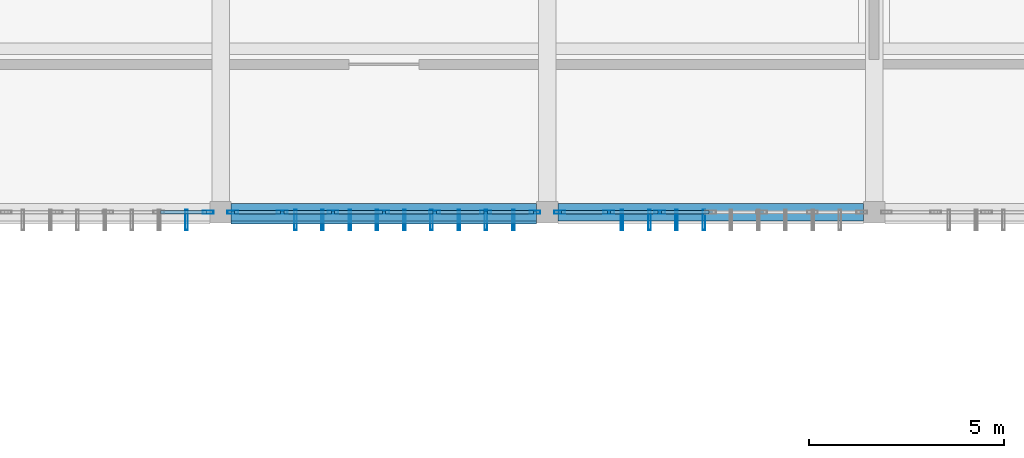
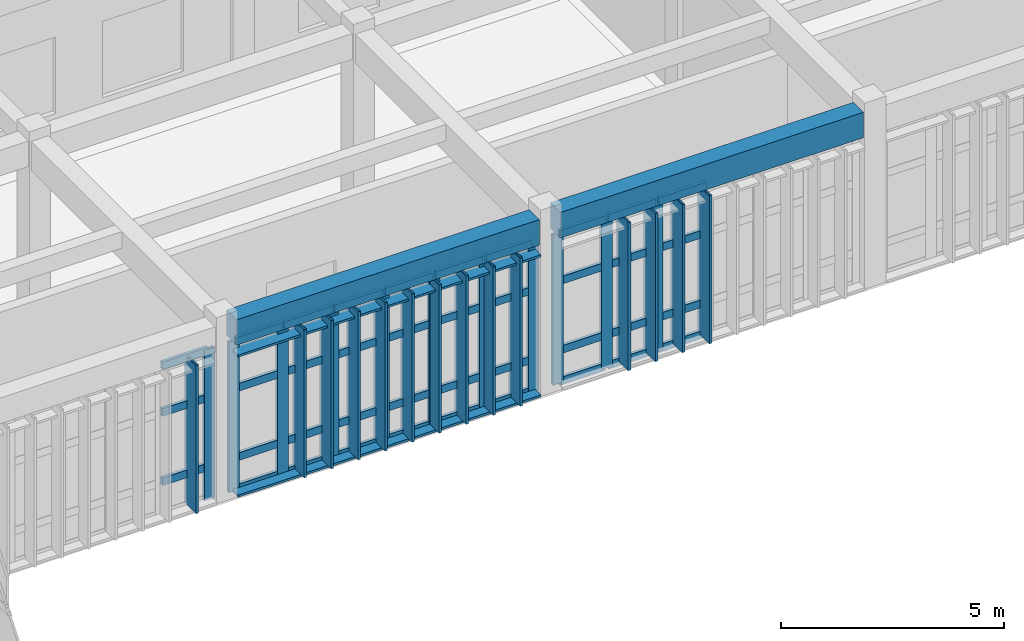
# One storey, part 40 of 106: 66 members, 2 beams, 3 elements without a shape of their own.
"""IFC4 building model written with IfcOpenShell, lengths in metres."""

from ifc_helpers import new_model, si_unit, direction, frame, origin, origin_2d, place, context, subcontext, project, spatial, rectangle, hollow_rectangle, extrude, material, layer, layer_set, material_profile, profile_set, type_object, element, aggregate, save


model = new_model("IFC4")

# Units and contexts
model_context = context("Model", 3, precision=1e-05, world=origin(), true_north=direction((0.0, 1.0)))
body_context = subcontext(model_context, "Body", "Model", "MODEL_VIEW")
ifc_project = project(units=[si_unit("LENGTHUNIT", "METRE"), si_unit("AREAUNIT", "SQUARE_METRE"), si_unit("VOLUMEUNIT", "CUBIC_METRE"), si_unit("PLANEANGLEUNIT", "RADIAN"), si_unit("MASSUNIT", "GRAM", prefix="KILO")], contexts=[model_context])

# Site, building, storey
site_placement = place(None, origin())
site = spatial("IfcSite", under=ifc_project, at=site_placement, CompositionType="ELEMENT")
building_placement = place(site_placement, origin())
building = spatial("IfcBuilding", under=site, at=building_placement, Name="Krzemoval Escarpment Law Courts", CompositionType="ELEMENT")
storey_placement = place(building_placement, frame((0.0, 0.0, 5.10009765625)))
storey = spatial("IfcBuildingStorey", under=building, at=storey_placement, Name="L01", CompositionType="ELEMENT", Elevation=5.10009765625)

# Beams
ifc_material_1 = material(Name="Concrete C40/50", Category="concrete")
ifc_material_profile_1 = material_profile(ifc_material_1, rectangle(XDim=0.449951171875, YDim=0.699951171875, at=origin_2d()), Name="RCB 450x700")
ifc_profile_set_1 = profile_set([ifc_material_profile_1], Name="Concrete C40/50")
beam_type = type_object("IfcBeamType", Name="BM-RC-450x700", PredefinedType="BEAM", material=ifc_profile_set_1)
beam_1_placement = place(storey_placement, frame((50.675048828125, 99.60009765625, 4.469970703125), z_axis=(1.0, 0.0, 0.0), x_axis=(0.0, 1.0, 0.0)))
element("IfcBeam", 1, at=beam_1_placement, inside=storey, type_object=beam_type, Name="Beam FG-L01-1305", PredefinedType="BEAM", context=body_context, shape_type="SweptSolid", body=[
    extrude(rectangle(XDim=0.449951171875, YDim=0.699951171875, at=origin_2d()), origin(), (0.0, 0.0, 1.0), 7.849853515625),
])
beam_2_placement = place(storey_placement, frame((59.074951171875, 99.60009765625, 4.469970703125), z_axis=(1.0, 0.0, 0.0), x_axis=(0.0, 1.0, 0.0)))
element("IfcBeam", 2, at=beam_2_placement, inside=storey, type_object=beam_type, Name="Beam FG-L01-1306", PredefinedType="BEAM", context=body_context, shape_type="SweptSolid", body=[
    extrude(rectangle(XDim=0.449951171875, YDim=0.699951171875, at=origin_2d()), origin(), (0.0, 0.0, 1.0), 7.85009765625),
])

# Curtain wall, members
ifc_material_2 = material(Name="Aluminium 6063-T6", Category="aluminium")
ifc_layer = layer(ifc_material_2, 0.280029296875)
ifc_layer_set = layer_set([ifc_layer], Name="Aluminium 6063-T6")
curtain_wall_type = type_object("IfcCurtainWallType", Name="CW-HALL-5100", PredefinedType="USERDEFINED", material=ifc_layer_set)
curtain_wall_1_placement = place(storey_placement, origin())
curtain_wall_1 = element("IfcCurtainWall", 3, at=curtain_wall_1_placement, inside=storey, type_object=curtain_wall_type, Name="Unitised Curtain Wall FCW-L01-053", ObjectType="UNITISED_CURTAIN_WALL", PredefinedType="USERDEFINED")
ifc_material_3 = material(Name="Aluminium 6063-T6", Category="aluminium")
ifc_material_profile_2 = material_profile(ifc_material_3, hollow_rectangle(XDim=0.0849609375, YDim=0.280029296875, WallThickness=0.005615234375, at=origin_2d()), Name="ALU M85x280")
ifc_profile_set_2 = profile_set([ifc_material_profile_2], Name="Aluminium 6063-T6")
member_type_1 = type_object("IfcMemberType", Name="CWM-85x280", PredefinedType="MULLION", material=ifc_profile_set_2)
member_1_placement = place(storey_placement, frame((61.691650390625, 99.60009765625, 0.0), z_axis=(0.0, 0.0, 1.0), x_axis=(0.0, -1.0, 0.0)))
member_1 = element("IfcMember", 4, at=member_1_placement, type_object=member_type_1, Name="FCW-L01-053 mullion 5", PredefinedType="MULLION", context=body_context, shape_type="SweptSolid", body=[
    extrude(hollow_rectangle(XDim=0.0849609375, YDim=0.280029296875, WallThickness=0.005615234375, at=origin_2d()), origin(), (0.0, 0.0, 1.0), 4.119873046875),
])
member_2_placement = place(storey_placement, frame((60.38330078125, 99.60009765625, 0.0), z_axis=(0.0, 0.0, 1.0), x_axis=(0.0, -1.0, 0.0)))
member_2 = element("IfcMember", 5, at=member_2_placement, type_object=member_type_1, Name="FCW-L01-053 mullion 6", PredefinedType="MULLION", context=body_context, shape_type="SweptSolid", body=[
    extrude(hollow_rectangle(XDim=0.0849609375, YDim=0.280029296875, WallThickness=0.005615234375, at=origin_2d()), origin(), (0.0, 0.0, 1.0), 4.119873046875),
])
member_3_placement = place(storey_placement, frame((59.117431640625, 99.60009765625, 0.0), z_axis=(0.0, 0.0, 1.0), x_axis=(0.0, -1.0, 0.0)))
member_3 = element("IfcMember", 6, at=member_3_placement, type_object=member_type_1, Name="FCW-L01-053 mullion 7", PredefinedType="MULLION", context=body_context, shape_type="SweptSolid", body=[
    extrude(hollow_rectangle(XDim=0.0849609375, YDim=0.280029296875, WallThickness=0.005615234375, at=origin_2d()), origin(), (0.0, 0.0, 1.0), 4.119873046875),
])

curtain_wall_2_placement = place(storey_placement, origin())
curtain_wall_2 = element("IfcCurtainWall", 7, at=curtain_wall_2_placement, inside=storey, type_object=curtain_wall_type, Name="Unitised Curtain Wall FCW-L01-054", ObjectType="UNITISED_CURTAIN_WALL", PredefinedType="USERDEFINED")
member_4_placement = place(storey_placement, frame((58.482421875, 99.60009765625, 0.0), z_axis=(0.0, 0.0, 1.0), x_axis=(0.0, -1.0, 0.0)))
member_4 = element("IfcMember", 8, at=member_4_placement, type_object=member_type_1, Name="FCW-L01-054 mullion 1", PredefinedType="MULLION", context=body_context, shape_type="SweptSolid", body=[
    extrude(hollow_rectangle(XDim=0.0849609375, YDim=0.280029296875, WallThickness=0.005615234375, at=origin_2d()), origin(), (0.0, 0.0, 1.0), 4.119873046875),
])
member_5_placement = place(storey_placement, frame((57.216552734375, 99.60009765625, 0.0), z_axis=(0.0, 0.0, 1.0), x_axis=(0.0, -1.0, 0.0)))
member_5 = element("IfcMember", 9, at=member_5_placement, type_object=member_type_1, Name="FCW-L01-054 mullion 2", PredefinedType="MULLION", context=body_context, shape_type="SweptSolid", body=[
    extrude(hollow_rectangle(XDim=0.0849609375, YDim=0.280029296875, WallThickness=0.005615234375, at=origin_2d()), origin(), (0.0, 0.0, 1.0), 4.119873046875),
])
member_6_placement = place(storey_placement, frame((55.908447265625, 99.60009765625, 0.0), z_axis=(0.0, 0.0, 1.0), x_axis=(0.0, -1.0, 0.0)))
member_6 = element("IfcMember", 10, at=member_6_placement, type_object=member_type_1, Name="FCW-L01-054 mullion 3", PredefinedType="MULLION", context=body_context, shape_type="SweptSolid", body=[
    extrude(hollow_rectangle(XDim=0.0849609375, YDim=0.280029296875, WallThickness=0.005615234375, at=origin_2d()), origin(), (0.0, 0.0, 1.0), 4.119873046875),
])
member_7_placement = place(storey_placement, frame((54.60009765625, 99.60009765625, 0.0), z_axis=(0.0, 0.0, 1.0), x_axis=(0.0, -1.0, 0.0)))
member_7 = element("IfcMember", 11, at=member_7_placement, type_object=member_type_1, Name="FCW-L01-054 mullion 4", PredefinedType="MULLION", context=body_context, shape_type="SweptSolid", body=[
    extrude(hollow_rectangle(XDim=0.0849609375, YDim=0.280029296875, WallThickness=0.005615234375, at=origin_2d()), origin(), (0.0, 0.0, 1.0), 4.119873046875),
])
member_8_placement = place(storey_placement, frame((53.291748046875, 99.60009765625, 0.0), z_axis=(0.0, 0.0, 1.0), x_axis=(0.0, -1.0, 0.0)))
member_8 = element("IfcMember", 12, at=member_8_placement, type_object=member_type_1, Name="FCW-L01-054 mullion 5", PredefinedType="MULLION", context=body_context, shape_type="SweptSolid", body=[
    extrude(hollow_rectangle(XDim=0.0849609375, YDim=0.280029296875, WallThickness=0.005615234375, at=origin_2d()), origin(), (0.0, 0.0, 1.0), 4.119873046875),
])
member_9_placement = place(storey_placement, frame((51.9833984375, 99.60009765625, 0.0), z_axis=(0.0, 0.0, 1.0), x_axis=(0.0, -1.0, 0.0)))
member_9 = element("IfcMember", 13, at=member_9_placement, type_object=member_type_1, Name="FCW-L01-054 mullion 6", PredefinedType="MULLION", context=body_context, shape_type="SweptSolid", body=[
    extrude(hollow_rectangle(XDim=0.0849609375, YDim=0.280029296875, WallThickness=0.005615234375, at=origin_2d()), origin(), (0.0, 0.0, 1.0), 4.119873046875),
])
member_10_placement = place(storey_placement, frame((50.717529296875, 99.60009765625, 0.0), z_axis=(0.0, 0.0, 1.0), x_axis=(0.0, -1.0, 0.0)))
member_10 = element("IfcMember", 14, at=member_10_placement, type_object=member_type_1, Name="FCW-L01-054 mullion 7", PredefinedType="MULLION", context=body_context, shape_type="SweptSolid", body=[
    extrude(hollow_rectangle(XDim=0.0849609375, YDim=0.280029296875, WallThickness=0.005615234375, at=origin_2d()), origin(), (0.0, 0.0, 1.0), 4.119873046875),
])

# Curtain wall, member
curtain_wall_3_placement = place(storey_placement, origin())
curtain_wall_3 = element("IfcCurtainWall", 15, at=curtain_wall_3_placement, inside=storey, type_object=curtain_wall_type, Name="Unitised Curtain Wall FCW-L01-055", ObjectType="UNITISED_CURTAIN_WALL", PredefinedType="USERDEFINED")
member_11_placement = place(storey_placement, frame((50.08251953125, 99.60009765625, 0.0), z_axis=(0.0, 0.0, 1.0), x_axis=(0.0, -1.0, 0.0)))
member_11 = element("IfcMember", 16, at=member_11_placement, type_object=member_type_1, Name="FCW-L01-055 mullion 1", PredefinedType="MULLION", context=body_context, shape_type="SweptSolid", body=[
    extrude(hollow_rectangle(XDim=0.0849609375, YDim=0.280029296875, WallThickness=0.005615234375, at=origin_2d()), origin(), (0.0, 0.0, 1.0), 4.119873046875),
])

# Member
ifc_material_4 = material(Name="Aluminium 6063-T6", Category="aluminium")
ifc_material_profile_3 = material_profile(ifc_material_4, hollow_rectangle(XDim=0.0849609375, YDim=0.2099609375, WallThickness=0.005615234375, at=origin_2d()), Name="ALU T85x210")
ifc_profile_set_3 = profile_set([ifc_material_profile_3], Name="Aluminium 6063-T6")
member_type_2 = type_object("IfcMemberType", Name="CWT-85x210", PredefinedType="USERDEFINED", material=ifc_profile_set_3)
member_12_placement = place(storey_placement, frame((62.95751953125, 99.60009765625, 0.04248046875), z_axis=(-1.0, 0.0, 0.0), x_axis=(0.0, -1.0, 0.0)))
member_12 = element("IfcMember", 17, at=member_12_placement, type_object=member_type_2, Name="FCW-L01-053 transom 4.1", ObjectType="TRANSOM", PredefinedType="USERDEFINED", context=body_context, shape_type="SweptSolid", body=[
    extrude(hollow_rectangle(XDim=0.0849609375, YDim=0.2099609375, WallThickness=0.005615234375, at=origin_2d()), origin(), (0.0, 0.0, 1.0), 1.223388671875),
])

member_13_placement = place(storey_placement, frame((62.95751953125, 99.60009765625, 0.89990234375), z_axis=(-1.0, 0.0, 0.0), x_axis=(0.0, -1.0, 0.0)))
member_13 = element("IfcMember", 18, at=member_13_placement, type_object=member_type_2, Name="FCW-L01-053 transom 4.2", ObjectType="TRANSOM", PredefinedType="USERDEFINED", context=body_context, shape_type="SweptSolid", body=[
    extrude(hollow_rectangle(XDim=0.0849609375, YDim=0.2099609375, WallThickness=0.005615234375, at=origin_2d()), origin(), (0.0, 0.0, 1.0), 1.223388671875),
])

member_14_placement = place(storey_placement, frame((62.95751953125, 99.60009765625, 2.7998046875), z_axis=(-1.0, 0.0, 0.0), x_axis=(0.0, -1.0, 0.0)))
member_14 = element("IfcMember", 19, at=member_14_placement, type_object=member_type_2, Name="FCW-L01-053 transom 4.3", ObjectType="TRANSOM", PredefinedType="USERDEFINED", context=body_context, shape_type="SweptSolid", body=[
    extrude(hollow_rectangle(XDim=0.0849609375, YDim=0.2099609375, WallThickness=0.005615234375, at=origin_2d()), origin(), (0.0, 0.0, 1.0), 1.223388671875),
])

member_15_placement = place(storey_placement, frame((62.95751953125, 99.60009765625, 4.077392578125), z_axis=(-1.0, 0.0, 0.0), x_axis=(0.0, -1.0, 0.0)))
member_15 = element("IfcMember", 20, at=member_15_placement, type_object=member_type_2, Name="FCW-L01-053 transom 4.4", ObjectType="TRANSOM", PredefinedType="USERDEFINED", context=body_context, shape_type="SweptSolid", body=[
    extrude(hollow_rectangle(XDim=0.0849609375, YDim=0.2099609375, WallThickness=0.005615234375, at=origin_2d()), origin(), (0.0, 0.0, 1.0), 1.223388671875),
])

member_16_placement = place(storey_placement, frame((61.649169921875, 99.60009765625, 0.04248046875), z_axis=(-1.0, 0.0, 0.0), x_axis=(0.0, -1.0, 0.0)))
member_16 = element("IfcMember", 21, at=member_16_placement, type_object=member_type_2, Name="FCW-L01-053 transom 5.1", ObjectType="TRANSOM", PredefinedType="USERDEFINED", context=body_context, shape_type="SweptSolid", body=[
    extrude(hollow_rectangle(XDim=0.0849609375, YDim=0.2099609375, WallThickness=0.005615234375, at=origin_2d()), origin(), (0.0, 0.0, 1.0), 1.223388671875),
])

member_17_placement = place(storey_placement, frame((61.649169921875, 99.60009765625, 0.89990234375), z_axis=(-1.0, 0.0, 0.0), x_axis=(0.0, -1.0, 0.0)))
member_17 = element("IfcMember", 22, at=member_17_placement, type_object=member_type_2, Name="FCW-L01-053 transom 5.2", ObjectType="TRANSOM", PredefinedType="USERDEFINED", context=body_context, shape_type="SweptSolid", body=[
    extrude(hollow_rectangle(XDim=0.0849609375, YDim=0.2099609375, WallThickness=0.005615234375, at=origin_2d()), origin(), (0.0, 0.0, 1.0), 1.223388671875),
])

member_18_placement = place(storey_placement, frame((61.649169921875, 99.60009765625, 2.7998046875), z_axis=(-1.0, 0.0, 0.0), x_axis=(0.0, -1.0, 0.0)))
member_18 = element("IfcMember", 23, at=member_18_placement, type_object=member_type_2, Name="FCW-L01-053 transom 5.3", ObjectType="TRANSOM", PredefinedType="USERDEFINED", context=body_context, shape_type="SweptSolid", body=[
    extrude(hollow_rectangle(XDim=0.0849609375, YDim=0.2099609375, WallThickness=0.005615234375, at=origin_2d()), origin(), (0.0, 0.0, 1.0), 1.223388671875),
])

member_19_placement = place(storey_placement, frame((61.649169921875, 99.60009765625, 4.077392578125), z_axis=(-1.0, 0.0, 0.0), x_axis=(0.0, -1.0, 0.0)))
member_19 = element("IfcMember", 24, at=member_19_placement, type_object=member_type_2, Name="FCW-L01-053 transom 5.4", ObjectType="TRANSOM", PredefinedType="USERDEFINED", context=body_context, shape_type="SweptSolid", body=[
    extrude(hollow_rectangle(XDim=0.0849609375, YDim=0.2099609375, WallThickness=0.005615234375, at=origin_2d()), origin(), (0.0, 0.0, 1.0), 1.223388671875),
])

member_20_placement = place(storey_placement, frame((60.3408203125, 99.60009765625, 0.04248046875), z_axis=(-1.0, 0.0, 0.0), x_axis=(0.0, -1.0, 0.0)))
member_20 = element("IfcMember", 25, at=member_20_placement, type_object=member_type_2, Name="FCW-L01-053 transom 6.1", ObjectType="TRANSOM", PredefinedType="USERDEFINED", context=body_context, shape_type="SweptSolid", body=[
    extrude(hollow_rectangle(XDim=0.0849609375, YDim=0.2099609375, WallThickness=0.005615234375, at=origin_2d()), origin(), (0.0, 0.0, 1.0), 1.180908203125),
])

member_21_placement = place(storey_placement, frame((60.3408203125, 99.60009765625, 0.89990234375), z_axis=(-1.0, 0.0, 0.0), x_axis=(0.0, -1.0, 0.0)))
member_21 = element("IfcMember", 26, at=member_21_placement, type_object=member_type_2, Name="FCW-L01-053 transom 6.2", ObjectType="TRANSOM", PredefinedType="USERDEFINED", context=body_context, shape_type="SweptSolid", body=[
    extrude(hollow_rectangle(XDim=0.0849609375, YDim=0.2099609375, WallThickness=0.005615234375, at=origin_2d()), origin(), (0.0, 0.0, 1.0), 1.180908203125),
])

member_22_placement = place(storey_placement, frame((60.3408203125, 99.60009765625, 2.7998046875), z_axis=(-1.0, 0.0, 0.0), x_axis=(0.0, -1.0, 0.0)))
member_22 = element("IfcMember", 27, at=member_22_placement, type_object=member_type_2, Name="FCW-L01-053 transom 6.3", ObjectType="TRANSOM", PredefinedType="USERDEFINED", context=body_context, shape_type="SweptSolid", body=[
    extrude(hollow_rectangle(XDim=0.0849609375, YDim=0.2099609375, WallThickness=0.005615234375, at=origin_2d()), origin(), (0.0, 0.0, 1.0), 1.180908203125),
])

member_23_placement = place(storey_placement, frame((60.3408203125, 99.60009765625, 4.077392578125), z_axis=(-1.0, 0.0, 0.0), x_axis=(0.0, -1.0, 0.0)))
member_23 = element("IfcMember", 28, at=member_23_placement, type_object=member_type_2, Name="FCW-L01-053 transom 6.4", ObjectType="TRANSOM", PredefinedType="USERDEFINED", context=body_context, shape_type="SweptSolid", body=[
    extrude(hollow_rectangle(XDim=0.0849609375, YDim=0.2099609375, WallThickness=0.005615234375, at=origin_2d()), origin(), (0.0, 0.0, 1.0), 1.180908203125),
])

aggregate(curtain_wall_1, [member_1, member_2, member_3, member_12, member_13, member_14, member_15, member_16, member_17, member_18, member_19, member_20, member_21, member_22, member_23])

member_24_placement = place(storey_placement, frame((58.43994140625, 99.60009765625, 0.04248046875), z_axis=(-1.0, 0.0, 0.0), x_axis=(0.0, -1.0, 0.0)))
member_24 = element("IfcMember", 29, at=member_24_placement, type_object=member_type_2, Name="FCW-L01-054 transom 1.1", ObjectType="TRANSOM", PredefinedType="USERDEFINED", context=body_context, shape_type="SweptSolid", body=[
    extrude(hollow_rectangle(XDim=0.0849609375, YDim=0.2099609375, WallThickness=0.005615234375, at=origin_2d()), origin(), (0.0, 0.0, 1.0), 1.1806640625),
])

member_25_placement = place(storey_placement, frame((58.43994140625, 99.60009765625, 0.89990234375), z_axis=(-1.0, 0.0, 0.0), x_axis=(0.0, -1.0, 0.0)))
member_25 = element("IfcMember", 30, at=member_25_placement, type_object=member_type_2, Name="FCW-L01-054 transom 1.2", ObjectType="TRANSOM", PredefinedType="USERDEFINED", context=body_context, shape_type="SweptSolid", body=[
    extrude(hollow_rectangle(XDim=0.0849609375, YDim=0.2099609375, WallThickness=0.005615234375, at=origin_2d()), origin(), (0.0, 0.0, 1.0), 1.1806640625),
])

member_26_placement = place(storey_placement, frame((58.43994140625, 99.60009765625, 2.7998046875), z_axis=(-1.0, 0.0, 0.0), x_axis=(0.0, -1.0, 0.0)))
member_26 = element("IfcMember", 31, at=member_26_placement, type_object=member_type_2, Name="FCW-L01-054 transom 1.3", ObjectType="TRANSOM", PredefinedType="USERDEFINED", context=body_context, shape_type="SweptSolid", body=[
    extrude(hollow_rectangle(XDim=0.0849609375, YDim=0.2099609375, WallThickness=0.005615234375, at=origin_2d()), origin(), (0.0, 0.0, 1.0), 1.1806640625),
])

member_27_placement = place(storey_placement, frame((58.43994140625, 99.60009765625, 4.077392578125), z_axis=(-1.0, 0.0, 0.0), x_axis=(0.0, -1.0, 0.0)))
member_27 = element("IfcMember", 32, at=member_27_placement, type_object=member_type_2, Name="FCW-L01-054 transom 1.4", ObjectType="TRANSOM", PredefinedType="USERDEFINED", context=body_context, shape_type="SweptSolid", body=[
    extrude(hollow_rectangle(XDim=0.0849609375, YDim=0.2099609375, WallThickness=0.005615234375, at=origin_2d()), origin(), (0.0, 0.0, 1.0), 1.1806640625),
])

member_28_placement = place(storey_placement, frame((57.174072265625, 99.60009765625, 0.04248046875), z_axis=(-1.0, 0.0, 0.0), x_axis=(0.0, -1.0, 0.0)))
member_28 = element("IfcMember", 33, at=member_28_placement, type_object=member_type_2, Name="FCW-L01-054 transom 2.1", ObjectType="TRANSOM", PredefinedType="USERDEFINED", context=body_context, shape_type="SweptSolid", body=[
    extrude(hollow_rectangle(XDim=0.0849609375, YDim=0.2099609375, WallThickness=0.005615234375, at=origin_2d()), origin(), (0.0, 0.0, 1.0), 1.22314453125),
])

member_29_placement = place(storey_placement, frame((57.174072265625, 99.60009765625, 0.89990234375), z_axis=(-1.0, 0.0, 0.0), x_axis=(0.0, -1.0, 0.0)))
member_29 = element("IfcMember", 34, at=member_29_placement, type_object=member_type_2, Name="FCW-L01-054 transom 2.2", ObjectType="TRANSOM", PredefinedType="USERDEFINED", context=body_context, shape_type="SweptSolid", body=[
    extrude(hollow_rectangle(XDim=0.0849609375, YDim=0.2099609375, WallThickness=0.005615234375, at=origin_2d()), origin(), (0.0, 0.0, 1.0), 1.22314453125),
])

member_30_placement = place(storey_placement, frame((57.174072265625, 99.60009765625, 2.7998046875), z_axis=(-1.0, 0.0, 0.0), x_axis=(0.0, -1.0, 0.0)))
member_30 = element("IfcMember", 35, at=member_30_placement, type_object=member_type_2, Name="FCW-L01-054 transom 2.3", ObjectType="TRANSOM", PredefinedType="USERDEFINED", context=body_context, shape_type="SweptSolid", body=[
    extrude(hollow_rectangle(XDim=0.0849609375, YDim=0.2099609375, WallThickness=0.005615234375, at=origin_2d()), origin(), (0.0, 0.0, 1.0), 1.22314453125),
])

member_31_placement = place(storey_placement, frame((57.174072265625, 99.60009765625, 4.077392578125), z_axis=(-1.0, 0.0, 0.0), x_axis=(0.0, -1.0, 0.0)))
member_31 = element("IfcMember", 36, at=member_31_placement, type_object=member_type_2, Name="FCW-L01-054 transom 2.4", ObjectType="TRANSOM", PredefinedType="USERDEFINED", context=body_context, shape_type="SweptSolid", body=[
    extrude(hollow_rectangle(XDim=0.0849609375, YDim=0.2099609375, WallThickness=0.005615234375, at=origin_2d()), origin(), (0.0, 0.0, 1.0), 1.22314453125),
])

member_32_placement = place(storey_placement, frame((55.86572265625, 99.60009765625, 0.04248046875), z_axis=(-1.0, 0.0, 0.0), x_axis=(0.0, -1.0, 0.0)))
member_32 = element("IfcMember", 37, at=member_32_placement, type_object=member_type_2, Name="FCW-L01-054 transom 3.1", ObjectType="TRANSOM", PredefinedType="USERDEFINED", context=body_context, shape_type="SweptSolid", body=[
    extrude(hollow_rectangle(XDim=0.0849609375, YDim=0.2099609375, WallThickness=0.005615234375, at=origin_2d()), origin(), (0.0, 0.0, 1.0), 1.22314453125),
])

member_33_placement = place(storey_placement, frame((55.86572265625, 99.60009765625, 0.89990234375), z_axis=(-1.0, 0.0, 0.0), x_axis=(0.0, -1.0, 0.0)))
member_33 = element("IfcMember", 38, at=member_33_placement, type_object=member_type_2, Name="FCW-L01-054 transom 3.2", ObjectType="TRANSOM", PredefinedType="USERDEFINED", context=body_context, shape_type="SweptSolid", body=[
    extrude(hollow_rectangle(XDim=0.0849609375, YDim=0.2099609375, WallThickness=0.005615234375, at=origin_2d()), origin(), (0.0, 0.0, 1.0), 1.22314453125),
])

member_34_placement = place(storey_placement, frame((55.86572265625, 99.60009765625, 2.7998046875), z_axis=(-1.0, 0.0, 0.0), x_axis=(0.0, -1.0, 0.0)))
member_34 = element("IfcMember", 39, at=member_34_placement, type_object=member_type_2, Name="FCW-L01-054 transom 3.3", ObjectType="TRANSOM", PredefinedType="USERDEFINED", context=body_context, shape_type="SweptSolid", body=[
    extrude(hollow_rectangle(XDim=0.0849609375, YDim=0.2099609375, WallThickness=0.005615234375, at=origin_2d()), origin(), (0.0, 0.0, 1.0), 1.22314453125),
])

member_35_placement = place(storey_placement, frame((55.86572265625, 99.60009765625, 4.077392578125), z_axis=(-1.0, 0.0, 0.0), x_axis=(0.0, -1.0, 0.0)))
member_35 = element("IfcMember", 40, at=member_35_placement, type_object=member_type_2, Name="FCW-L01-054 transom 3.4", ObjectType="TRANSOM", PredefinedType="USERDEFINED", context=body_context, shape_type="SweptSolid", body=[
    extrude(hollow_rectangle(XDim=0.0849609375, YDim=0.2099609375, WallThickness=0.005615234375, at=origin_2d()), origin(), (0.0, 0.0, 1.0), 1.22314453125),
])

member_36_placement = place(storey_placement, frame((54.5576171875, 99.60009765625, 0.04248046875), z_axis=(-1.0, 0.0, 0.0), x_axis=(0.0, -1.0, 0.0)))
member_36 = element("IfcMember", 41, at=member_36_placement, type_object=member_type_2, Name="FCW-L01-054 transom 4.1", ObjectType="TRANSOM", PredefinedType="USERDEFINED", context=body_context, shape_type="SweptSolid", body=[
    extrude(hollow_rectangle(XDim=0.0849609375, YDim=0.2099609375, WallThickness=0.005615234375, at=origin_2d()), origin(), (0.0, 0.0, 1.0), 1.223388671875),
])

member_37_placement = place(storey_placement, frame((54.5576171875, 99.60009765625, 0.89990234375), z_axis=(-1.0, 0.0, 0.0), x_axis=(0.0, -1.0, 0.0)))
member_37 = element("IfcMember", 42, at=member_37_placement, type_object=member_type_2, Name="FCW-L01-054 transom 4.2", ObjectType="TRANSOM", PredefinedType="USERDEFINED", context=body_context, shape_type="SweptSolid", body=[
    extrude(hollow_rectangle(XDim=0.0849609375, YDim=0.2099609375, WallThickness=0.005615234375, at=origin_2d()), origin(), (0.0, 0.0, 1.0), 1.223388671875),
])

member_38_placement = place(storey_placement, frame((54.5576171875, 99.60009765625, 2.7998046875), z_axis=(-1.0, 0.0, 0.0), x_axis=(0.0, -1.0, 0.0)))
member_38 = element("IfcMember", 43, at=member_38_placement, type_object=member_type_2, Name="FCW-L01-054 transom 4.3", ObjectType="TRANSOM", PredefinedType="USERDEFINED", context=body_context, shape_type="SweptSolid", body=[
    extrude(hollow_rectangle(XDim=0.0849609375, YDim=0.2099609375, WallThickness=0.005615234375, at=origin_2d()), origin(), (0.0, 0.0, 1.0), 1.223388671875),
])

member_39_placement = place(storey_placement, frame((54.5576171875, 99.60009765625, 4.077392578125), z_axis=(-1.0, 0.0, 0.0), x_axis=(0.0, -1.0, 0.0)))
member_39 = element("IfcMember", 44, at=member_39_placement, type_object=member_type_2, Name="FCW-L01-054 transom 4.4", ObjectType="TRANSOM", PredefinedType="USERDEFINED", context=body_context, shape_type="SweptSolid", body=[
    extrude(hollow_rectangle(XDim=0.0849609375, YDim=0.2099609375, WallThickness=0.005615234375, at=origin_2d()), origin(), (0.0, 0.0, 1.0), 1.223388671875),
])

member_40_placement = place(storey_placement, frame((53.249267578125, 99.60009765625, 0.04248046875), z_axis=(-1.0, 0.0, 0.0), x_axis=(0.0, -1.0, 0.0)))
member_40 = element("IfcMember", 45, at=member_40_placement, type_object=member_type_2, Name="FCW-L01-054 transom 5.1", ObjectType="TRANSOM", PredefinedType="USERDEFINED", context=body_context, shape_type="SweptSolid", body=[
    extrude(hollow_rectangle(XDim=0.0849609375, YDim=0.2099609375, WallThickness=0.005615234375, at=origin_2d()), origin(), (0.0, 0.0, 1.0), 1.223388671875),
])

member_41_placement = place(storey_placement, frame((53.249267578125, 99.60009765625, 0.89990234375), z_axis=(-1.0, 0.0, 0.0), x_axis=(0.0, -1.0, 0.0)))
member_41 = element("IfcMember", 46, at=member_41_placement, type_object=member_type_2, Name="FCW-L01-054 transom 5.2", ObjectType="TRANSOM", PredefinedType="USERDEFINED", context=body_context, shape_type="SweptSolid", body=[
    extrude(hollow_rectangle(XDim=0.0849609375, YDim=0.2099609375, WallThickness=0.005615234375, at=origin_2d()), origin(), (0.0, 0.0, 1.0), 1.223388671875),
])

member_42_placement = place(storey_placement, frame((53.249267578125, 99.60009765625, 2.7998046875), z_axis=(-1.0, 0.0, 0.0), x_axis=(0.0, -1.0, 0.0)))
member_42 = element("IfcMember", 47, at=member_42_placement, type_object=member_type_2, Name="FCW-L01-054 transom 5.3", ObjectType="TRANSOM", PredefinedType="USERDEFINED", context=body_context, shape_type="SweptSolid", body=[
    extrude(hollow_rectangle(XDim=0.0849609375, YDim=0.2099609375, WallThickness=0.005615234375, at=origin_2d()), origin(), (0.0, 0.0, 1.0), 1.223388671875),
])

member_43_placement = place(storey_placement, frame((53.249267578125, 99.60009765625, 4.077392578125), z_axis=(-1.0, 0.0, 0.0), x_axis=(0.0, -1.0, 0.0)))
member_43 = element("IfcMember", 48, at=member_43_placement, type_object=member_type_2, Name="FCW-L01-054 transom 5.4", ObjectType="TRANSOM", PredefinedType="USERDEFINED", context=body_context, shape_type="SweptSolid", body=[
    extrude(hollow_rectangle(XDim=0.0849609375, YDim=0.2099609375, WallThickness=0.005615234375, at=origin_2d()), origin(), (0.0, 0.0, 1.0), 1.223388671875),
])

member_44_placement = place(storey_placement, frame((51.94091796875, 99.60009765625, 0.04248046875), z_axis=(-1.0, 0.0, 0.0), x_axis=(0.0, -1.0, 0.0)))
member_44 = element("IfcMember", 49, at=member_44_placement, type_object=member_type_2, Name="FCW-L01-054 transom 6.1", ObjectType="TRANSOM", PredefinedType="USERDEFINED", context=body_context, shape_type="SweptSolid", body=[
    extrude(hollow_rectangle(XDim=0.0849609375, YDim=0.2099609375, WallThickness=0.005615234375, at=origin_2d()), origin(), (0.0, 0.0, 1.0), 1.180908203125),
])

member_45_placement = place(storey_placement, frame((51.94091796875, 99.60009765625, 0.89990234375), z_axis=(-1.0, 0.0, 0.0), x_axis=(0.0, -1.0, 0.0)))
member_45 = element("IfcMember", 50, at=member_45_placement, type_object=member_type_2, Name="FCW-L01-054 transom 6.2", ObjectType="TRANSOM", PredefinedType="USERDEFINED", context=body_context, shape_type="SweptSolid", body=[
    extrude(hollow_rectangle(XDim=0.0849609375, YDim=0.2099609375, WallThickness=0.005615234375, at=origin_2d()), origin(), (0.0, 0.0, 1.0), 1.180908203125),
])

member_46_placement = place(storey_placement, frame((51.94091796875, 99.60009765625, 2.7998046875), z_axis=(-1.0, 0.0, 0.0), x_axis=(0.0, -1.0, 0.0)))
member_46 = element("IfcMember", 51, at=member_46_placement, type_object=member_type_2, Name="FCW-L01-054 transom 6.3", ObjectType="TRANSOM", PredefinedType="USERDEFINED", context=body_context, shape_type="SweptSolid", body=[
    extrude(hollow_rectangle(XDim=0.0849609375, YDim=0.2099609375, WallThickness=0.005615234375, at=origin_2d()), origin(), (0.0, 0.0, 1.0), 1.180908203125),
])

member_47_placement = place(storey_placement, frame((51.94091796875, 99.60009765625, 4.077392578125), z_axis=(-1.0, 0.0, 0.0), x_axis=(0.0, -1.0, 0.0)))
member_47 = element("IfcMember", 52, at=member_47_placement, type_object=member_type_2, Name="FCW-L01-054 transom 6.4", ObjectType="TRANSOM", PredefinedType="USERDEFINED", context=body_context, shape_type="SweptSolid", body=[
    extrude(hollow_rectangle(XDim=0.0849609375, YDim=0.2099609375, WallThickness=0.005615234375, at=origin_2d()), origin(), (0.0, 0.0, 1.0), 1.180908203125),
])

aggregate(curtain_wall_2, [member_4, member_5, member_6, member_7, member_8, member_9, member_10, member_24, member_25, member_26, member_27, member_28, member_29, member_30, member_31, member_32, member_33, member_34, member_35, member_36, member_37, member_38, member_39, member_40, member_41, member_42, member_43, member_44, member_45, member_46, member_47])

member_48_placement = place(storey_placement, frame((50.0400390625, 99.60009765625, 0.89990234375), z_axis=(-1.0, 0.0, 0.0), x_axis=(0.0, -1.0, 0.0)))
member_48 = element("IfcMember", 53, at=member_48_placement, type_object=member_type_2, Name="FCW-L01-055 transom 1.2", ObjectType="TRANSOM", PredefinedType="USERDEFINED", context=body_context, shape_type="SweptSolid", body=[
    extrude(hollow_rectangle(XDim=0.0849609375, YDim=0.2099609375, WallThickness=0.005615234375, at=origin_2d()), origin(), (0.0, 0.0, 1.0), 1.180908203125),
])

member_49_placement = place(storey_placement, frame((50.0400390625, 99.60009765625, 2.7998046875), z_axis=(-1.0, 0.0, 0.0), x_axis=(0.0, -1.0, 0.0)))
member_49 = element("IfcMember", 54, at=member_49_placement, type_object=member_type_2, Name="FCW-L01-055 transom 1.3", ObjectType="TRANSOM", PredefinedType="USERDEFINED", context=body_context, shape_type="SweptSolid", body=[
    extrude(hollow_rectangle(XDim=0.0849609375, YDim=0.2099609375, WallThickness=0.005615234375, at=origin_2d()), origin(), (0.0, 0.0, 1.0), 1.180908203125),
])

member_50_placement = place(storey_placement, frame((50.0400390625, 99.60009765625, 4.077392578125), z_axis=(-1.0, 0.0, 0.0), x_axis=(0.0, -1.0, 0.0)))
member_50 = element("IfcMember", 55, at=member_50_placement, type_object=member_type_2, Name="FCW-L01-055 transom 1.4", ObjectType="TRANSOM", PredefinedType="USERDEFINED", context=body_context, shape_type="SweptSolid", body=[
    extrude(hollow_rectangle(XDim=0.0849609375, YDim=0.2099609375, WallThickness=0.005615234375, at=origin_2d()), origin(), (0.0, 0.0, 1.0), 1.180908203125),
])

aggregate(curtain_wall_3, [member_11, member_48, member_49, member_50])

# Members
ifc_material_5 = material(Name="Anodised Aluminium Alloy 6063-T6", Category="aluminium")
ifc_material_profile_4 = material_profile(ifc_material_5, hollow_rectangle(XDim=0.06005859375, YDim=0.320068359375, WallThickness=0.00390625, at=origin_2d()), Name="ALU LVR 60x320")
ifc_profile_set_4 = profile_set([ifc_material_profile_4], Name="Anodised Aluminium Alloy 6063-T6")
member_type_3 = type_object("IfcMemberType", Name="LVR-ALU-320", PredefinedType="USERDEFINED", material=ifc_profile_set_4)
for number, where, z_axis, x_axis, name in (
    (56, (58.52490234375, 99.4599609375, 0.02978515625), (-1.0, 0.0, 0.0), (0.0, 0.0, 1.0), "Sunshade Support Rail FSR-L01-0268"),
    (57, (58.52490234375, 99.4599609375, 3.869873046875), (-1.0, 0.0, 0.0), (0.0, 0.0, 1.0), "Sunshade Support Rail FSR-L01-0269"),
):
    element("IfcMember", number, at=place(storey_placement, frame(where, z_axis=z_axis, x_axis=x_axis)), inside=storey, type_object=member_type_3, Name=name, ObjectType="SUNSHADE_LOUVRE", PredefinedType="USERDEFINED", context=body_context, shape_type="SweptSolid", body=[
        extrude(hollow_rectangle(XDim=0.06005859375, YDim=0.320068359375, WallThickness=0.00390625, at=origin_2d()), origin(), (0.0, 0.0, 1.0), 7.849853515625),
    ])
ifc_material_6 = material(Name="Anodised Aluminium Alloy 6063-T6", Category="aluminium")
ifc_material_profile_5 = material_profile(ifc_material_6, hollow_rectangle(XDim=0.06494140625, YDim=0.52001953125, WallThickness=0.00439453125, at=origin_2d()), Name="ALU LVR 65x520")
ifc_profile_set_5 = profile_set([ifc_material_profile_5], Name="Anodised Aluminium Alloy 6063-T6")
member_type_4 = type_object("IfcMemberType", Name="LVR-ALU-520", PredefinedType="USERDEFINED", material=ifc_profile_set_5)
for number, where, z_axis, x_axis, name in (
    (58, (62.824951171875, 99.39990234375, 0.059814453125), (0.0, 0.0, 1.0), (1.0, 0.0, 0.0), "Sunshade Louvre Fin FLV-L01-0264"),
    (59, (62.125, 99.39990234375, 0.059814453125), (0.0, 0.0, 1.0), (1.0, 0.0, 0.0), "Sunshade Louvre Fin FLV-L01-0265"),
    (60, (61.425048828125, 99.39990234375, 0.059814453125), (0.0, 0.0, 1.0), (1.0, 0.0, 0.0), "Sunshade Louvre Fin FLV-L01-0266"),
    (61, (60.72509765625, 99.39990234375, 0.059814453125), (0.0, 0.0, 1.0), (1.0, 0.0, 0.0), "Sunshade Louvre Fin FLV-L01-0267"),
    (62, (57.925048828125, 99.39990234375, 0.059814453125), (0.0, 0.0, 1.0), (1.0, 0.0, 0.0), "Sunshade Louvre Fin FLV-L01-0270"),
    (63, (57.22509765625, 99.39990234375, 0.059814453125), (0.0, 0.0, 1.0), (1.0, 0.0, 0.0), "Sunshade Louvre Fin FLV-L01-0271"),
    (64, (56.52490234375, 99.39990234375, 0.059814453125), (0.0, 0.0, 1.0), (1.0, 0.0, 0.0), "Sunshade Louvre Fin FLV-L01-0272"),
    (65, (55.824951171875, 99.39990234375, 0.059814453125), (0.0, 0.0, 1.0), (1.0, 0.0, 0.0), "Sunshade Louvre Fin FLV-L01-0273"),
    (66, (55.125, 99.39990234375, 0.059814453125), (0.0, 0.0, 1.0), (1.0, 0.0, 0.0), "Sunshade Louvre Fin FLV-L01-0274"),
    (67, (54.425048828125, 99.39990234375, 0.059814453125), (0.0, 0.0, 1.0), (1.0, 0.0, 0.0), "Sunshade Louvre Fin FLV-L01-0275"),
    (68, (53.72509765625, 99.39990234375, 0.059814453125), (0.0, 0.0, 1.0), (1.0, 0.0, 0.0), "Sunshade Louvre Fin FLV-L01-0276"),
    (69, (53.02490234375, 99.39990234375, 0.059814453125), (0.0, 0.0, 1.0), (1.0, 0.0, 0.0), "Sunshade Louvre Fin FLV-L01-0277"),
    (70, (52.324951171875, 99.39990234375, 0.059814453125), (0.0, 0.0, 1.0), (1.0, 0.0, 0.0), "Sunshade Louvre Fin FLV-L01-0278"),
    (71, (49.52490234375, 99.39990234375, 0.059814453125), (0.0, 0.0, 1.0), (1.0, 0.0, 0.0), "Sunshade Louvre Fin FLV-L01-0281"),
):
    element("IfcMember", number, at=place(storey_placement, frame(where, z_axis=z_axis, x_axis=x_axis)), inside=storey, type_object=member_type_4, Name=name, ObjectType="SUNSHADE_LOUVRE", PredefinedType="USERDEFINED", context=body_context, shape_type="SweptSolid", body=[
        extrude(hollow_rectangle(XDim=0.06494140625, YDim=0.52001953125, WallThickness=0.00439453125, at=origin_2d()), origin(), (0.0, 0.0, 1.0), 4.06005859375),
    ])

save(model, "model.ifc")
